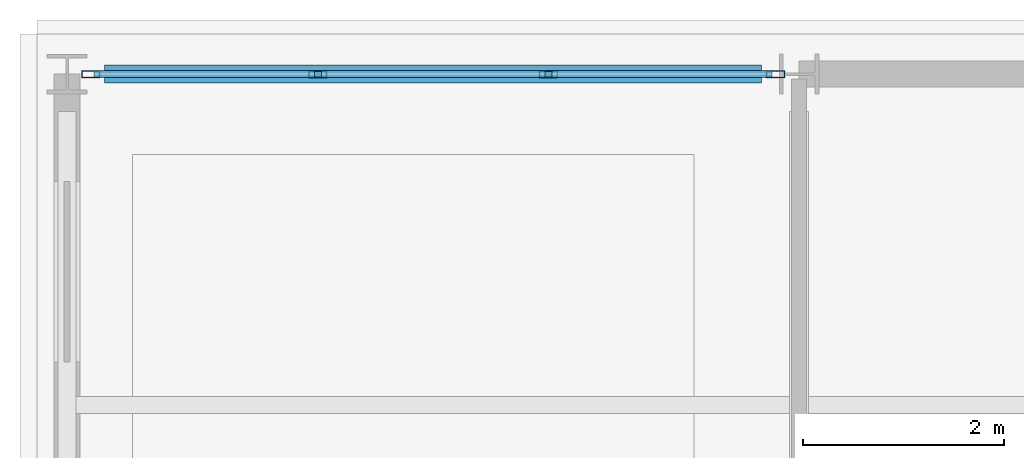
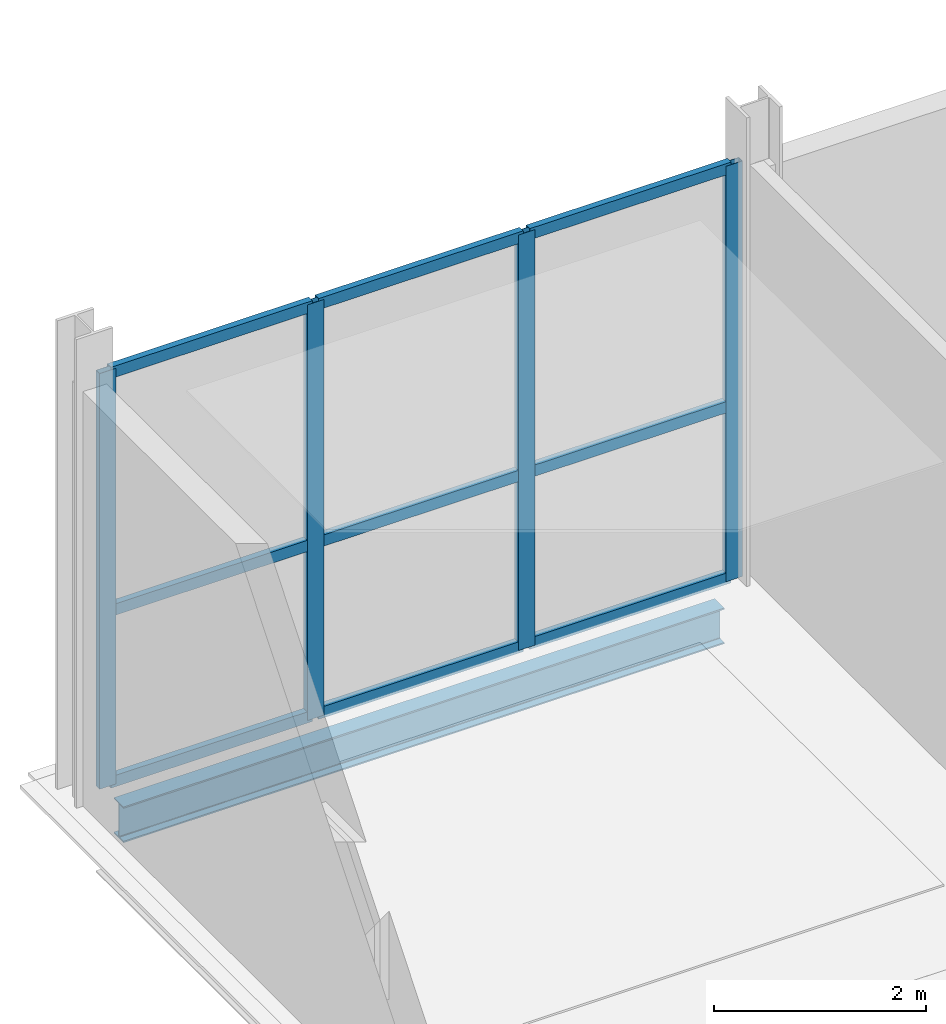
# One storey, part 35 of 83: 13 members, 1 beam, 1 element without a shape of its own.
"""IFC4 building model written with IfcOpenShell, lengths in metres."""

from ifc_helpers import new_model, si_unit, direction, frame, origin, origin_2d, place, context, subcontext, project, spatial, hollow_rectangle, i_section, extrude, material, layer, layer_set, material_profile, profile_set, type_object, element, aggregate, save


model = new_model("IFC4")

# Units and contexts
model_context = context("Model", 3, precision=1e-05, world=origin(), true_north=direction((0.0, 1.0)))
body_context = subcontext(model_context, "Body", "Model", "MODEL_VIEW")
ifc_project = project(units=[si_unit("LENGTHUNIT", "METRE"), si_unit("AREAUNIT", "SQUARE_METRE"), si_unit("VOLUMEUNIT", "CUBIC_METRE"), si_unit("PLANEANGLEUNIT", "RADIAN"), si_unit("MASSUNIT", "GRAM", prefix="KILO")], contexts=[model_context])

# Site, building, storey
site_placement = place(None, origin())
site = spatial("IfcSite", under=ifc_project, at=site_placement, CompositionType="ELEMENT")
building_placement = place(site_placement, origin())
building = spatial("IfcBuilding", under=site, at=building_placement, Name="Quillay Park Conservatory", CompositionType="ELEMENT")
storey_placement = place(building_placement, origin())
storey = spatial("IfcBuildingStorey", under=building, at=storey_placement, Name="L00", CompositionType="ELEMENT", Elevation=0.0)

# Curtain wall, members
ifc_material_1 = material(Name="Thermally Broken Anodised Aluminium 6063-T6", Category="aluminium")
ifc_layer = layer(ifc_material_1, 0.179931640625)
ifc_layer_set = layer_set([ifc_layer], Name="UNITISED CURTAIN WALL TOWER (Thermally Broken Anodised Aluminium 6063-T6)")
curtain_wall_type = type_object("IfcCurtainWallType", Name="UNITISED CURTAIN WALL TOWER", PredefinedType="USERDEFINED", material=ifc_layer_set)
curtain_wall_placement = place(storey_placement, origin())
curtain_wall = element("IfcCurtainWall", 1, at=curtain_wall_placement, inside=storey, type_object=curtain_wall_type, Name="L00 Unitised Curtain Wall 008", ObjectType="UNITISED CURTAIN WALL", PredefinedType="USERDEFINED")
ifc_material_2 = material(Name="Thermally Broken Anodised Aluminium 6063-T6", Category="aluminium")
ifc_material_profile_1 = material_profile(ifc_material_2, hollow_rectangle(XDim=0.070068359375, YDim=0.179931640625, WallThickness=0.00390625, at=origin_2d()), Name="AL70x180x4")
ifc_profile_set_1 = profile_set([ifc_material_profile_1], Name="Thermally Broken Anodised Aluminium 6063-T6")
member_type_1 = type_object("IfcMemberType", Name="CURTAIN WALL MULLION 70 X180", PredefinedType="MULLION", material=ifc_profile_set_1)
member_1_placement = place(storey_placement, frame((0.784912109375, 113.39990234375, 0.0), z_axis=(0.0, 0.0, 1.0), x_axis=(0.0, 1.0, 0.0)))
member_1 = element("IfcMember", 2, at=member_1_placement, type_object=member_type_1, Name="CW-T1 mullion 1", PredefinedType="MULLION", context=body_context, shape_type="SweptSolid", body=[
    extrude(hollow_rectangle(XDim=0.070068359375, YDim=0.179931640625, WallThickness=0.00390625, at=origin_2d()), origin(), (0.0, 0.0, 1.0), 4.7890625),
])
member_2_placement = place(storey_placement, frame((3.050048828125, 113.39990234375, 0.0), z_axis=(0.0, 0.0, 1.0), x_axis=(0.0, 1.0, 0.0)))
member_2 = element("IfcMember", 3, at=member_2_placement, type_object=member_type_1, Name="CW-T1 mullion 2", PredefinedType="MULLION", context=body_context, shape_type="SweptSolid", body=[
    extrude(hollow_rectangle(XDim=0.070068359375, YDim=0.179931640625, WallThickness=0.00390625, at=origin_2d()), origin(), (0.0, 0.0, 1.0), 4.7890625),
])
member_3_placement = place(storey_placement, frame((5.35009765625, 113.39990234375, 0.0), z_axis=(0.0, 0.0, 1.0), x_axis=(0.0, 1.0, 0.0)))
member_3 = element("IfcMember", 4, at=member_3_placement, type_object=member_type_1, Name="CW-T1 mullion 3", PredefinedType="MULLION", context=body_context, shape_type="SweptSolid", body=[
    extrude(hollow_rectangle(XDim=0.070068359375, YDim=0.179931640625, WallThickness=0.00390625, at=origin_2d()), origin(), (0.0, 0.0, 1.0), 4.7890625),
])
member_4_placement = place(storey_placement, frame((7.614990234375, 113.39990234375, 0.0), z_axis=(0.0, 0.0, 1.0), x_axis=(0.0, 1.0, 0.0)))
member_4 = element("IfcMember", 5, at=member_4_placement, type_object=member_type_1, Name="CW-T1 mullion 4", PredefinedType="MULLION", context=body_context, shape_type="SweptSolid", body=[
    extrude(hollow_rectangle(XDim=0.070068359375, YDim=0.179931640625, WallThickness=0.00390625, at=origin_2d()), origin(), (0.0, 0.0, 1.0), 4.7890625),
])
ifc_material_3 = material(Name="Thermally Broken Anodised Aluminium 6063-T6", Category="aluminium")
ifc_material_profile_2 = material_profile(ifc_material_3, hollow_rectangle(XDim=0.070068359375, YDim=0.1298828125, WallThickness=0.003173828125, at=origin_2d()), Name="AL70x130x3.2")
ifc_profile_set_2 = profile_set([ifc_material_profile_2], Name="Thermally Broken Anodised Aluminium 6063-T6")
member_type_2 = type_object("IfcMemberType", Name="CURTAIN WALL TRANSOM 70 X130", PredefinedType="USERDEFINED", material=ifc_profile_set_2)
member_5_placement = place(storey_placement, frame((0.820068359375, 113.39990234375, 0.034912109375), z_axis=(1.0, 0.0, 0.0), x_axis=(0.0, 1.0, 0.0)))
member_5 = element("IfcMember", 6, at=member_5_placement, type_object=member_type_2, Name="CW-T1 transom 1.1", ObjectType="TRANSOM", PredefinedType="USERDEFINED", context=body_context, shape_type="SweptSolid", body=[
    extrude(hollow_rectangle(XDim=0.070068359375, YDim=0.1298828125, WallThickness=0.003173828125, at=origin_2d()), origin(), (0.0, 0.0, 1.0), 2.19482421875),
])
member_6_placement = place(storey_placement, frame((0.820068359375, 113.39990234375, 2.011474609375), z_axis=(1.0, 0.0, 0.0), x_axis=(0.0, 1.0, 0.0)))
member_6 = element("IfcMember", 7, at=member_6_placement, type_object=member_type_2, Name="CW-T1 transom 1.2", ObjectType="TRANSOM", PredefinedType="USERDEFINED", context=body_context, shape_type="SweptSolid", body=[
    extrude(hollow_rectangle(XDim=0.070068359375, YDim=0.1298828125, WallThickness=0.003173828125, at=origin_2d()), origin(), (0.0, 0.0, 1.0), 2.19482421875),
])
member_7_placement = place(storey_placement, frame((0.820068359375, 113.39990234375, 4.75390625), z_axis=(1.0, 0.0, 0.0), x_axis=(0.0, 1.0, 0.0)))
member_7 = element("IfcMember", 8, at=member_7_placement, type_object=member_type_2, Name="CW-T1 transom 1.3", ObjectType="TRANSOM", PredefinedType="USERDEFINED", context=body_context, shape_type="SweptSolid", body=[
    extrude(hollow_rectangle(XDim=0.070068359375, YDim=0.1298828125, WallThickness=0.003173828125, at=origin_2d()), origin(), (0.0, 0.0, 1.0), 2.19482421875),
])
member_8_placement = place(storey_placement, frame((3.0849609375, 113.39990234375, 0.034912109375), z_axis=(1.0, 0.0, 0.0), x_axis=(0.0, 1.0, 0.0)))
member_8 = element("IfcMember", 9, at=member_8_placement, type_object=member_type_2, Name="CW-T1 transom 2.1", ObjectType="TRANSOM", PredefinedType="USERDEFINED", context=body_context, shape_type="SweptSolid", body=[
    extrude(hollow_rectangle(XDim=0.070068359375, YDim=0.1298828125, WallThickness=0.003173828125, at=origin_2d()), origin(), (0.0, 0.0, 1.0), 2.22998046875),
])
member_9_placement = place(storey_placement, frame((3.0849609375, 113.39990234375, 2.011474609375), z_axis=(1.0, 0.0, 0.0), x_axis=(0.0, 1.0, 0.0)))
member_9 = element("IfcMember", 10, at=member_9_placement, type_object=member_type_2, Name="CW-T1 transom 2.2", ObjectType="TRANSOM", PredefinedType="USERDEFINED", context=body_context, shape_type="SweptSolid", body=[
    extrude(hollow_rectangle(XDim=0.070068359375, YDim=0.1298828125, WallThickness=0.003173828125, at=origin_2d()), origin(), (0.0, 0.0, 1.0), 2.22998046875),
])
member_10_placement = place(storey_placement, frame((3.0849609375, 113.39990234375, 4.75390625), z_axis=(1.0, 0.0, 0.0), x_axis=(0.0, 1.0, 0.0)))
member_10 = element("IfcMember", 11, at=member_10_placement, type_object=member_type_2, Name="CW-T1 transom 2.3", ObjectType="TRANSOM", PredefinedType="USERDEFINED", context=body_context, shape_type="SweptSolid", body=[
    extrude(hollow_rectangle(XDim=0.070068359375, YDim=0.1298828125, WallThickness=0.003173828125, at=origin_2d()), origin(), (0.0, 0.0, 1.0), 2.22998046875),
])
member_11_placement = place(storey_placement, frame((5.385009765625, 113.39990234375, 0.034912109375), z_axis=(1.0, 0.0, 0.0), x_axis=(0.0, 1.0, 0.0)))
member_11 = element("IfcMember", 12, at=member_11_placement, type_object=member_type_2, Name="CW-T1 transom 3.1", ObjectType="TRANSOM", PredefinedType="USERDEFINED", context=body_context, shape_type="SweptSolid", body=[
    extrude(hollow_rectangle(XDim=0.070068359375, YDim=0.1298828125, WallThickness=0.003173828125, at=origin_2d()), origin(), (0.0, 0.0, 1.0), 2.195068359375),
])
member_12_placement = place(storey_placement, frame((5.385009765625, 113.39990234375, 2.011474609375), z_axis=(1.0, 0.0, 0.0), x_axis=(0.0, 1.0, 0.0)))
member_12 = element("IfcMember", 13, at=member_12_placement, type_object=member_type_2, Name="CW-T1 transom 3.2", ObjectType="TRANSOM", PredefinedType="USERDEFINED", context=body_context, shape_type="SweptSolid", body=[
    extrude(hollow_rectangle(XDim=0.070068359375, YDim=0.1298828125, WallThickness=0.003173828125, at=origin_2d()), origin(), (0.0, 0.0, 1.0), 2.195068359375),
])
member_13_placement = place(storey_placement, frame((5.385009765625, 113.39990234375, 4.75390625), z_axis=(1.0, 0.0, 0.0), x_axis=(0.0, 1.0, 0.0)))
member_13 = element("IfcMember", 14, at=member_13_placement, type_object=member_type_2, Name="CW-T1 transom 3.3", ObjectType="TRANSOM", PredefinedType="USERDEFINED", context=body_context, shape_type="SweptSolid", body=[
    extrude(hollow_rectangle(XDim=0.070068359375, YDim=0.1298828125, WallThickness=0.003173828125, at=origin_2d()), origin(), (0.0, 0.0, 1.0), 2.195068359375),
])
aggregate(curtain_wall, [member_1, member_2, member_3, member_4, member_5, member_6, member_7, member_8, member_9, member_10, member_11, member_12, member_13])

# Beam
ifc_material_4 = material(Name="Steel ASTM A992 Grade 50", Category="steel")
ifc_material_profile_3 = material_profile(ifc_material_4, i_section(OverallWidth=0.179931640625, OverallDepth=0.4130859375, WebThickness=0.009765625, FlangeThickness=0.01611328125, FilletRadius=0.011962890625, at=origin_2d()), Name="W410x74")
ifc_profile_set_3 = profile_set([ifc_material_profile_3], Name="Steel ASTM A992 Grade 50")
beam_type = type_object("IfcBeamType", Name="PERIMETER SPANDREL BEAM W410 X74", PredefinedType="SPANDREL", material=ifc_profile_set_3)
beam_placement = place(storey_placement, frame((0.925048828125, 113.39990234375, -0.45654296875), z_axis=(1.0, 0.0, 0.0), x_axis=(0.0, 1.0, 0.0)))
element("IfcBeam", 15, at=beam_placement, inside=storey, type_object=beam_type, Name="L00 beam BM-SP-0064", PredefinedType="SPANDREL", context=body_context, shape_type="SweptSolid", body=[
    extrude(i_section(OverallWidth=0.179931640625, OverallDepth=0.4130859375, WebThickness=0.009765625, FlangeThickness=0.01611328125, FilletRadius=0.011962890625, at=origin_2d()), origin(), (0.0, 0.0, 1.0), 6.550048828125),
])

save(model, "model.ifc")
